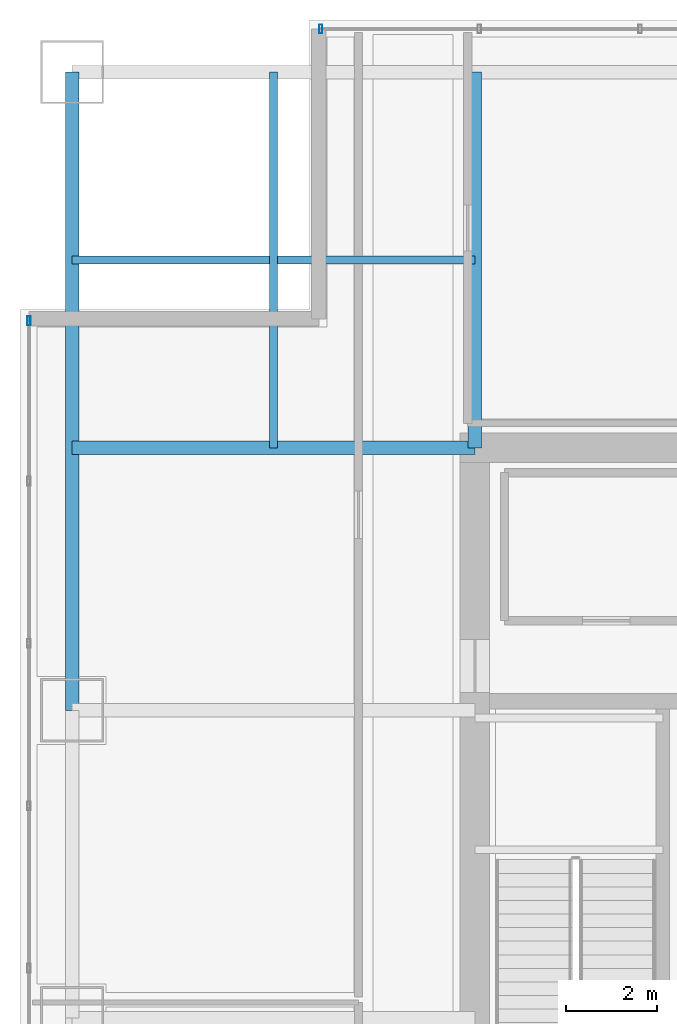
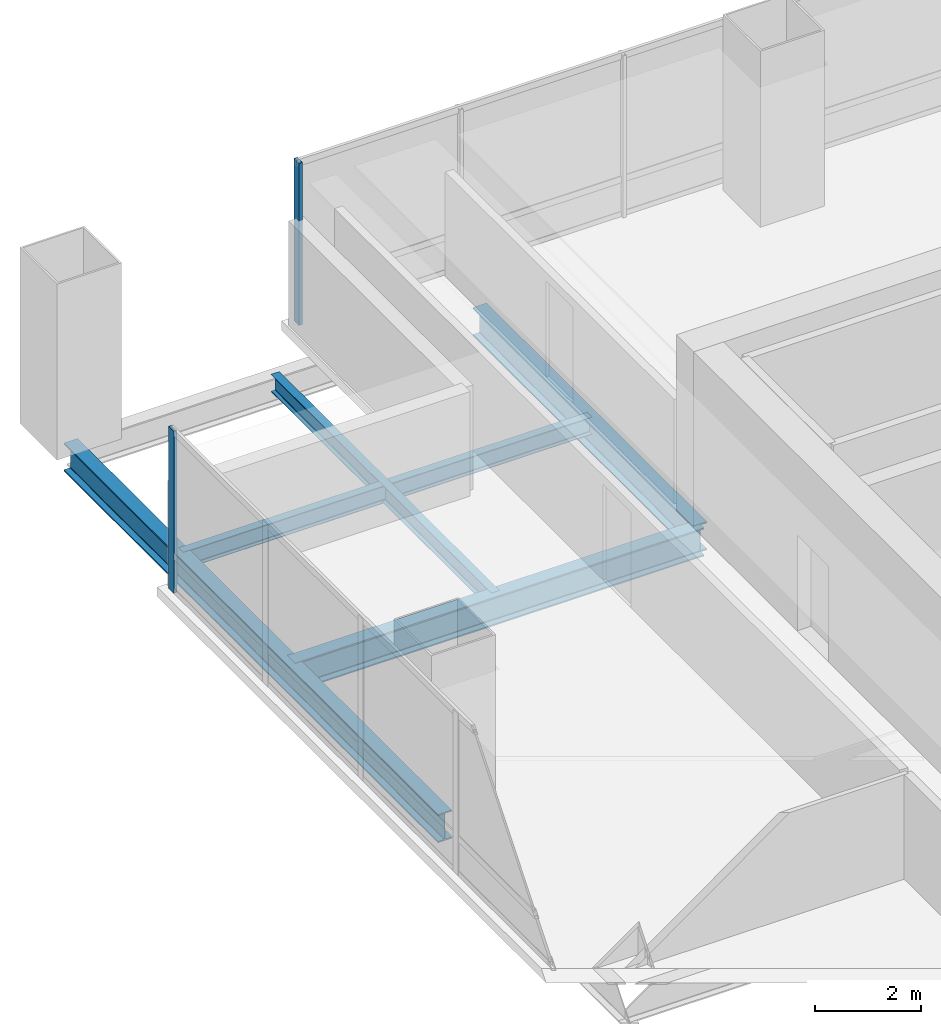
# One storey, part 21 of 35: 5 beams, 2 members, 2 elements without a shape of their own.
"""IFC4 building model written with IfcOpenShell, lengths in metres."""

from ifc_helpers import new_model, si_unit, direction, frame, origin, origin_2d, place, context, subcontext, project, spatial, hollow_rectangle, i_section, extrude, material, material_profile, profile_set, type_object, element, aggregate, save


model = new_model("IFC4")

# Units and contexts
model_context = context("Model", 3, precision=1e-05, world=origin(), true_north=direction((0.0, 1.0)))
body_context = subcontext(model_context, "Body", "Model", "MODEL_VIEW")
ifc_project = project(units=[si_unit("LENGTHUNIT", "METRE"), si_unit("AREAUNIT", "SQUARE_METRE"), si_unit("VOLUMEUNIT", "CUBIC_METRE"), si_unit("PLANEANGLEUNIT", "RADIAN"), si_unit("MASSUNIT", "GRAM", prefix="KILO")], contexts=[model_context])

# Site, building, storey
site_placement = place(None, origin())
site = spatial("IfcSite", under=ifc_project, at=site_placement, CompositionType="ELEMENT")
building_placement = place(site_placement, origin())
building = spatial("IfcBuilding", under=site, at=building_placement, Name="Punatoya Terracotta Tower", CompositionType="ELEMENT")
storey_placement = place(building_placement, frame((0.0, 0.0, 232.949951171875)))
storey = spatial("IfcBuildingStorey", under=building, at=storey_placement, Name="L55", CompositionType="ELEMENT", Elevation=232.949951171875)

# Beams
ifc_material_1 = material(Name="Steel S355", Category="steel")
ifc_material_profile_1 = material_profile(ifc_material_1, i_section(OverallWidth=0.300048828125, OverallDepth=0.64990234375, WebThickness=0.01611328125, FlangeThickness=0.031005859375, FilletRadius=0.01806640625, at=origin_2d()))
ifc_profile_set_1 = profile_set([ifc_material_profile_1], Name="Steel S355")
beam_type_1 = type_object("IfcBeamType", Name="BM-PRI-650", PredefinedType="BEAM", material=ifc_profile_set_1)
beam_1_placement = place(storey_placement, frame((-19.10009765625, 3.39990234375, -0.544921875), z_axis=(0.0, 1.0, 0.0), x_axis=(-1.0, 0.0, 0.0)))
element("IfcBeam", 1, at=beam_1_placement, inside=storey, type_object=beam_type_1, Name="BM-L55-RG-W3", PredefinedType="BEAM", context=body_context, shape_type="SweptSolid", body=[
    extrude(i_section(OverallWidth=0.300048828125, OverallDepth=0.64990234375, WebThickness=0.01611328125, FlangeThickness=0.031005859375, FilletRadius=0.01806640625, at=origin_2d()), origin(), (0.0, 0.0, 1.0), 14.10009765625),
])
beam_2_placement = place(storey_placement, frame((-19.10009765625, 9.199951171875, -0.544921875), z_axis=(1.0, 0.0, 0.0), x_axis=(0.0, 1.0, 0.0)))
element("IfcBeam", 2, at=beam_2_placement, inside=storey, type_object=beam_type_1, Name="BM-L55-PR-WN", PredefinedType="BEAM", context=body_context, shape_type="SweptSolid", body=[
    extrude(i_section(OverallWidth=0.300048828125, OverallDepth=0.64990234375, WebThickness=0.01611328125, FlangeThickness=0.031005859375, FilletRadius=0.01806640625, at=origin_2d()), origin(), (0.0, 0.0, 1.0), 8.900146484375),
])
beam_3_placement = place(storey_placement, frame((-10.199951171875, 9.199951171875, -0.544921875), z_axis=(0.0, 1.0, 0.0), x_axis=(-1.0, 0.0, 0.0)))
element("IfcBeam", 3, at=beam_3_placement, inside=storey, type_object=beam_type_1, Name="BM-L55-PR-N1", PredefinedType="BEAM", context=body_context, shape_type="SweptSolid", body=[
    extrude(i_section(OverallWidth=0.300048828125, OverallDepth=0.64990234375, WebThickness=0.01611328125, FlangeThickness=0.031005859375, FilletRadius=0.01806640625, at=origin_2d()), origin(), (0.0, 0.0, 1.0), 8.300048828125),
])
ifc_material_profile_2 = material_profile(ifc_material_1, i_section(OverallWidth=0.179931640625, OverallDepth=0.39990234375, WebThickness=0.008544921875, FlangeThickness=0.013427734375, FilletRadius=0.01806640625, at=origin_2d()))
ifc_profile_set_2 = profile_set([ifc_material_profile_2], Name="Steel S355")
beam_type_2 = type_object("IfcBeamType", Name="BM-SEC-400", PredefinedType="JOIST", material=ifc_profile_set_2)
beam_4_placement = place(storey_placement, frame((-19.10009765625, 13.35009765625, -0.419921875), z_axis=(1.0, 0.0, 0.0), x_axis=(0.0, 1.0, 0.0)))
element("IfcBeam", 4, at=beam_4_placement, inside=storey, type_object=beam_type_2, Name="BM-L55-SJN-1", PredefinedType="JOIST", context=body_context, shape_type="SweptSolid", body=[
    extrude(i_section(OverallWidth=0.179931640625, OverallDepth=0.39990234375, WebThickness=0.008544921875, FlangeThickness=0.013427734375, FilletRadius=0.01806640625, at=origin_2d()), origin(), (0.0, 0.0, 1.0), 8.900146484375),
])
beam_5_placement = place(storey_placement, frame((-14.64990234375, 9.199951171875, -0.419921875), z_axis=(0.0, 1.0, 0.0), x_axis=(-1.0, 0.0, 0.0)))
element("IfcBeam", 5, at=beam_5_placement, inside=storey, type_object=beam_type_2, Name="BM-L55-SJW-2", PredefinedType="JOIST", context=body_context, shape_type="SweptSolid", body=[
    extrude(i_section(OverallWidth=0.179931640625, OverallDepth=0.39990234375, WebThickness=0.008544921875, FlangeThickness=0.013427734375, FilletRadius=0.01806640625, at=origin_2d()), origin(), (0.0, 0.0, 1.0), 8.300048828125),
])

# Curtain wall, member
ifc_material_2 = material(Name="Aluminium 6063-T6 + Double Low-E Glass", Category="aluminium")
curtain_wall_type = type_object("IfcCurtainWallType", Name="CW-M2", PredefinedType="NOTDEFINED", material=ifc_material_2)
curtain_wall_1_placement = place(storey_placement, origin())
curtain_wall_1 = element("IfcCurtainWall", 6, at=curtain_wall_1_placement, inside=storey, type_object=curtain_wall_type, Name="L55 Curtain Wall CW-L55-N08-1", PredefinedType="NOTDEFINED")
ifc_material_3 = material(Name="Aluminium 6063-T6", Category="aluminium")
ifc_material_profile_3 = material_profile(ifc_material_3, hollow_rectangle(XDim=0.072021484375, YDim=0.195068359375, WallThickness=0.00439453125, at=origin_2d()))
ifc_profile_set_3 = profile_set([ifc_material_profile_3], Name="Aluminium 6063-T6")
member_type = type_object("IfcMemberType", Name="CW-MUL-M2", PredefinedType="MULLION", material=ifc_profile_set_3)
member_1_placement = place(storey_placement, frame((-13.60498046875, 18.449951171875, 0.0), z_axis=(0.0, 0.0, 1.0), x_axis=(1.0, 0.0, 0.0)))
member_1 = element("IfcMember", 7, at=member_1_placement, type_object=member_type, Name="CW-L55-N08-1 Mullion 10", PredefinedType="MULLION", context=body_context, shape_type="SweptSolid", body=[
    extrude(hollow_rectangle(XDim=0.072021484375, YDim=0.195068359375, WallThickness=0.00439453125, at=origin_2d()), origin(), (0.0, 0.0, 1.0), 3.72998046875),
])
aggregate(curtain_wall_1, [member_1])

curtain_wall_2_placement = place(storey_placement, origin())
curtain_wall_2 = element("IfcCurtainWall", 8, at=curtain_wall_2_placement, inside=storey, type_object=curtain_wall_type, Name="L55 Curtain Wall CW-L55-W11-1", PredefinedType="NOTDEFINED")
member_2_placement = place(storey_placement, frame((-20.050048828125, 12.0048828125, 0.0), z_axis=(0.0, 0.0, 1.0), x_axis=(1.0, 0.0, 0.0)))
member_2 = element("IfcMember", 9, at=member_2_placement, type_object=member_type, Name="CW-L55-W11-1 Mullion 00", PredefinedType="MULLION", context=body_context, shape_type="SweptSolid", body=[
    extrude(hollow_rectangle(XDim=0.072021484375, YDim=0.195068359375, WallThickness=0.00439453125, at=origin_2d()), origin(), (0.0, 0.0, 1.0), 3.72998046875),
])
aggregate(curtain_wall_2, [member_2])

save(model, "model.ifc")
